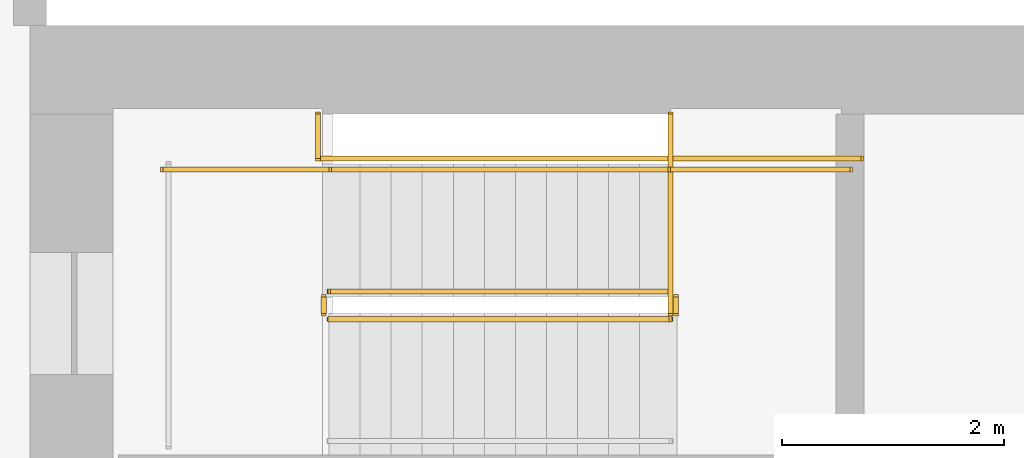
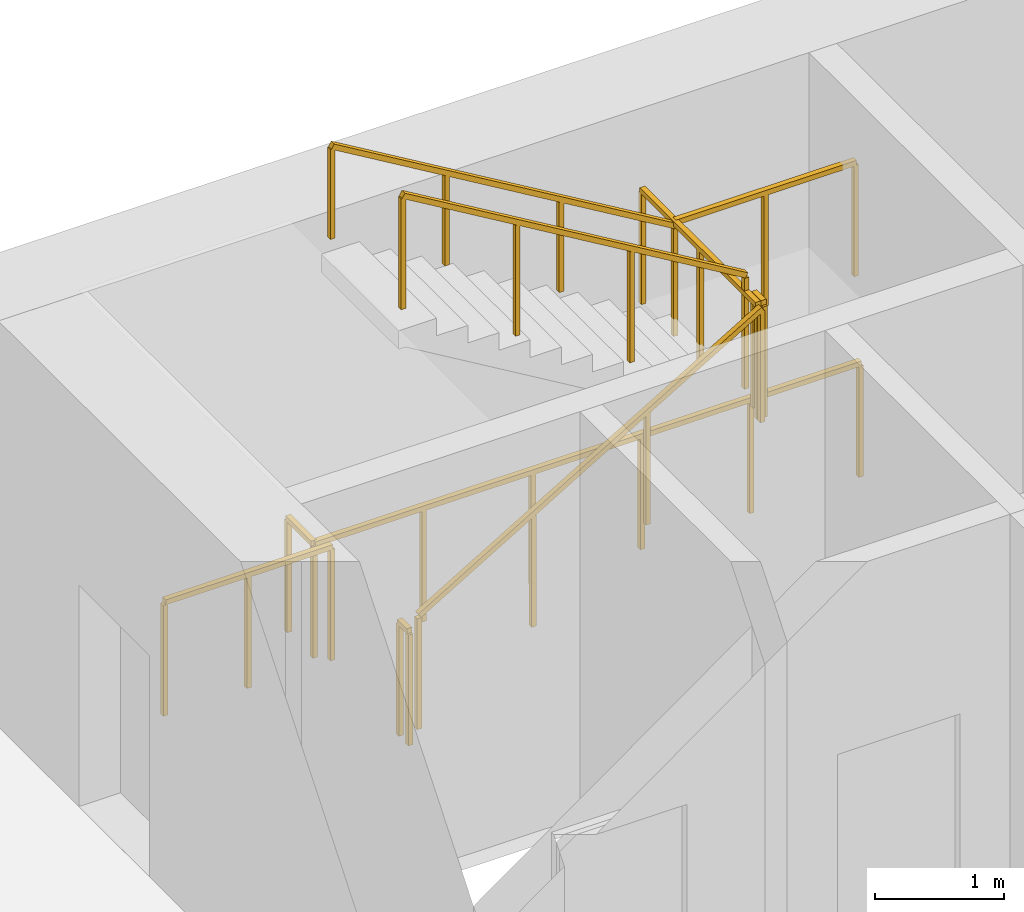
# One storey, part 12 of 12: 10 railings.
"""IFC4 building model written with IfcOpenShell, lengths in metres."""

from ifc_helpers import new_model, si_unit, direction, frame, origin, origin_2d, place, context, subcontext, project, spatial, rectangle, extrude, material, type_object, element, save


model = new_model("IFC4")

# Units and contexts
model_context = context("Model", 3, precision=1e-05, world=origin(), true_north=direction((0.0, 1.0)))
body_context = subcontext(model_context, "Body", "Model", "MODEL_VIEW")
ifc_project = project(units=[si_unit("LENGTHUNIT", "METRE"), si_unit("AREAUNIT", "SQUARE_METRE"), si_unit("VOLUMEUNIT", "CUBIC_METRE"), si_unit("PLANEANGLEUNIT", "RADIAN"), si_unit("MASSUNIT", "GRAM", prefix="KILO")], contexts=[model_context])

# Site, building, storey
site_placement = place(None, origin())
site = spatial("IfcSite", under=ifc_project, at=site_placement, CompositionType="ELEMENT")
building_placement = place(site_placement, origin())
building = spatial("IfcBuilding", under=site, at=building_placement, Name="Sennacour Bend Tower", CompositionType="ELEMENT")
storey_placement = place(building_placement, frame((0.0, 0.0, 285.0)))
storey = spatial("IfcBuildingStorey", under=building, at=storey_placement, Name="L66", CompositionType="ELEMENT", Elevation=285.0)

# Railings
ifc_material = material(Name="Stainless steel", Category="steel")
railing_type_1 = type_object("IfcRailingType", Name="RL-GUARD-1100", PredefinedType="GUARDRAIL", material=ifc_material)
railing_1_placement = place(storey_placement, frame((56.699951171875, 19.85009765625, 0.166748046875)))
element("IfcRailing", 1, at=railing_1_placement, inside=storey, type_object=railing_type_1, Name="L66 SA2 stair guard 1", PredefinedType="GUARDRAIL", context=body_context, shape_type="SweptSolid", body=[
    extrude(rectangle(XDim=0.048095703125, YDim=0.048095703125, at=origin_2d()), frame((0.0, 0.0, 1.076171875), z_axis=(0.859308565015, 0.0, 0.511457515432), x_axis=(0.0, 1.0, 0.0)), (0.0, 0.0, 1.0), 3.58447265625),
    extrude(rectangle(XDim=0.0419921875, YDim=0.0419921875, at=origin_2d()), origin(), (0.0, 0.0, 1.0), 1.052001953125),
    extrude(rectangle(XDim=0.0419921875, YDim=0.0419921875, at=origin_2d()), frame((1.026611328125, 0.0, 0.611083984375)), (0.0, 0.0, 1.0), 1.052001953125),
    extrude(rectangle(XDim=0.0419921875, YDim=0.0419921875, at=origin_2d()), frame((2.053466796875, 0.0, 1.22216796875)), (0.0, 0.0, 1.0), 1.052001953125),
    extrude(rectangle(XDim=0.0419921875, YDim=0.0419921875, at=origin_2d()), frame((3.080078125, 0.0, 1.833251953125)), (0.0, 0.0, 1.0), 1.052001953125),
])
railing_2_placement = place(storey_placement, frame((59.830078125, 19.89990234375, 2.0)))
element("IfcRailing", 2, at=railing_2_placement, inside=storey, type_object=railing_type_1, Name="L66 SA2 stair guard 2", PredefinedType="GUARDRAIL", context=body_context, shape_type="SweptSolid", body=[
    extrude(rectangle(XDim=0.048095703125, YDim=0.048095703125, at=origin_2d()), frame((0.0, 0.0, 1.076171875), z_axis=(0.0, 1.0, 0.0), x_axis=(-1.0, 0.0, 0.0)), (0.0, 0.0, 1.0), 0.150146484375),
    extrude(rectangle(XDim=0.0419921875, YDim=0.0419921875, at=origin_2d()), origin(), (0.0, 0.0, 1.0), 1.052001953125),
    extrude(rectangle(XDim=0.0419921875, YDim=0.0419921875, at=origin_2d()), frame((0.0, 0.150146484375, 0.0)), (0.0, 0.0, 1.0), 1.052001953125),
])
railing_3_placement = place(storey_placement, frame((59.780029296875, 21.199951171875, 2.0)))
element("IfcRailing", 3, at=railing_3_placement, inside=storey, type_object=railing_type_1, Name="L66 SA2 stair guard 3", PredefinedType="GUARDRAIL", context=body_context, shape_type="SweptSolid", body=[
    extrude(rectangle(XDim=0.048095703125, YDim=0.048095703125, at=origin_2d()), frame((0.0, 0.0, 1.076171875), z_axis=(1.0, 0.0, 0.0), x_axis=(0.0, 1.0, 0.0)), (0.0, 0.0, 1.0), 1.619873046875),
    extrude(rectangle(XDim=0.0419921875, YDim=0.0419921875, at=origin_2d()), origin(), (0.0, 0.0, 1.0), 1.052001953125),
    extrude(rectangle(XDim=0.0419921875, YDim=0.0419921875, at=origin_2d()), frame((0.81005859375, 0.0, 0.0)), (0.0, 0.0, 1.0), 1.052001953125),
    extrude(rectangle(XDim=0.0419921875, YDim=0.0419921875, at=origin_2d()), frame((1.619873046875, 0.0, 0.0)), (0.0, 0.0, 1.0), 1.052001953125),
])
railing_4_placement = place(storey_placement, frame((59.780029296875, 20.10009765625, 2.166748046875)))
element("IfcRailing", 4, at=railing_4_placement, inside=storey, type_object=railing_type_1, Name="L66 SA2 stair guard 4", PredefinedType="GUARDRAIL", context=body_context, shape_type="SweptSolid", body=[
    extrude(rectangle(XDim=0.048095703125, YDim=0.048095703125, at=origin_2d()), frame((0.0, 0.0, 1.076171875), z_axis=(-0.859308565015, 0.0, 0.511457515432), x_axis=(0.0, -1.0, 0.0)), (0.0, 0.0, 1.0), 3.58447265625),
    extrude(rectangle(XDim=0.0419921875, YDim=0.0419921875, at=origin_2d()), origin(), (0.0, 0.0, 1.0), 1.052001953125),
    extrude(rectangle(XDim=0.0419921875, YDim=0.0419921875, at=origin_2d()), frame((-1.026611328125, 0.0, 0.611083984375)), (0.0, 0.0, 1.0), 1.052001953125),
    extrude(rectangle(XDim=0.0419921875, YDim=0.0419921875, at=origin_2d()), frame((-2.053466796875, 0.0, 1.22216796875)), (0.0, 0.0, 1.0), 1.052001953125),
    extrude(rectangle(XDim=0.0419921875, YDim=0.0419921875, at=origin_2d()), frame((-3.080078125, 0.0, 1.833251953125)), (0.0, 0.0, 1.0), 1.052001953125),
])
railing_5_placement = place(storey_placement, frame((56.64990234375, 19.89990234375, 0.0)))
element("IfcRailing", 5, at=railing_5_placement, inside=storey, type_object=railing_type_1, Name="L66 SA2 stair guard 5", PredefinedType="GUARDRAIL", context=body_context, shape_type="SweptSolid", body=[
    extrude(rectangle(XDim=0.048095703125, YDim=0.048095703125, at=origin_2d()), frame((0.0, 0.0, 1.076171875), z_axis=(0.0, 1.0, 0.0), x_axis=(-1.0, 0.0, 0.0)), (0.0, 0.0, 1.0), 0.150146484375),
    extrude(rectangle(XDim=0.0419921875, YDim=0.0419921875, at=origin_2d()), origin(), (0.0, 0.0, 1.0), 1.052001953125),
    extrude(rectangle(XDim=0.0419921875, YDim=0.0419921875, at=origin_2d()), frame((0.0, 0.150146484375, 0.0)), (0.0, 0.0, 1.0), 1.052001953125),
])
railing_6_placement = place(storey_placement, frame((55.199951171875, 21.199951171875, 0.0)))
element("IfcRailing", 6, at=railing_6_placement, inside=storey, type_object=railing_type_1, Name="L66 SA2 stair guard 6", PredefinedType="GUARDRAIL", context=body_context, shape_type="SweptSolid", body=[
    extrude(rectangle(XDim=0.048095703125, YDim=0.048095703125, at=origin_2d()), frame((0.0, 0.0, 1.076171875), z_axis=(1.0, 0.0, 0.0), x_axis=(0.0, 1.0, 0.0)), (0.0, 0.0, 1.0), 1.5),
    extrude(rectangle(XDim=0.0419921875, YDim=0.0419921875, at=origin_2d()), origin(), (0.0, 0.0, 1.0), 1.052001953125),
    extrude(rectangle(XDim=0.0419921875, YDim=0.0419921875, at=origin_2d()), frame((0.75, 0.0, 0.0)), (0.0, 0.0, 1.0), 1.052001953125),
    extrude(rectangle(XDim=0.0419921875, YDim=0.0419921875, at=origin_2d()), frame((1.5, 0.0, 0.0)), (0.0, 0.0, 1.0), 1.052001953125),
])
railing_7_placement = place(storey_placement, frame((56.60009765625, 21.300048828125, 0.0)))
element("IfcRailing", 7, at=railing_7_placement, inside=storey, type_object=railing_type_1, Name="L66 SA2 stair guard 8", PredefinedType="GUARDRAIL", context=body_context, shape_type="SweptSolid", body=[
    extrude(rectangle(XDim=0.048095703125, YDim=0.048095703125, at=origin_2d()), frame((0.0, 0.0, 1.076171875), z_axis=(1.0, 0.0, 0.0), x_axis=(0.0, 1.0, 0.0)), (0.0, 0.0, 1.0), 4.89990234375),
    extrude(rectangle(XDim=0.0419921875, YDim=0.0419921875, at=origin_2d()), origin(), (0.0, 0.0, 1.0), 1.052001953125),
    extrude(rectangle(XDim=0.0419921875, YDim=0.0419921875, at=origin_2d()), frame((0.97998046875, 0.0, 0.0)), (0.0, 0.0, 1.0), 1.052001953125),
    extrude(rectangle(XDim=0.0419921875, YDim=0.0419921875, at=origin_2d()), frame((1.9599609375, 0.0, 0.0)), (0.0, 0.0, 1.0), 1.052001953125),
    extrude(rectangle(XDim=0.0419921875, YDim=0.0419921875, at=origin_2d()), frame((2.93994140625, 0.0, 0.0)), (0.0, 0.0, 1.0), 1.052001953125),
    extrude(rectangle(XDim=0.0419921875, YDim=0.0419921875, at=origin_2d()), frame((3.919921875, 0.0, 0.0)), (0.0, 0.0, 1.0), 1.052001953125),
    extrude(rectangle(XDim=0.0419921875, YDim=0.0419921875, at=origin_2d()), frame((4.89990234375, 0.0, 0.0)), (0.0, 0.0, 1.0), 1.052001953125),
])
railing_8_placement = place(storey_placement, frame((59.780029296875, 19.89990234375, 2.0)))
element("IfcRailing", 8, at=railing_8_placement, inside=storey, type_object=railing_type_1, Name="L66 SA2 landing edge guard 86", PredefinedType="GUARDRAIL", context=body_context, shape_type="SweptSolid", body=[
    extrude(rectangle(XDim=0.048095703125, YDim=0.048095703125, at=origin_2d()), frame((0.0, 0.0, 1.076171875), z_axis=(0.0, 1.0, 0.0), x_axis=(-1.0, 0.0, 0.0)), (0.0, 0.0, 1.0), 1.800048828125),
    extrude(rectangle(XDim=0.0419921875, YDim=0.0419921875, at=origin_2d()), origin(), (0.0, 0.0, 1.0), 1.052001953125),
    extrude(rectangle(XDim=0.0419921875, YDim=0.0419921875, at=origin_2d()), frame((0.0, 0.89990234375, 0.0)), (0.0, 0.0, 1.0), 1.052001953125),
    extrude(rectangle(XDim=0.0419921875, YDim=0.0419921875, at=origin_2d()), frame((0.0, 1.800048828125, 0.0)), (0.0, 0.0, 1.0), 1.052001953125),
])
railing_9_placement = place(storey_placement, frame((56.60009765625, 21.300048828125, 0.0)))
element("IfcRailing", 9, at=railing_9_placement, inside=storey, type_object=railing_type_1, Name="L66 SA2 landing edge guard 120", PredefinedType="GUARDRAIL", context=body_context, shape_type="SweptSolid", body=[
    extrude(rectangle(XDim=0.048095703125, YDim=0.048095703125, at=origin_2d()), frame((0.0, 0.0, 1.076171875), z_axis=(0.0, 1.0, 0.0), x_axis=(-1.0, 0.0, 0.0)), (0.0, 0.0, 1.0), 0.39990234375),
    extrude(rectangle(XDim=0.0419921875, YDim=0.0419921875, at=origin_2d()), origin(), (0.0, 0.0, 1.0), 1.052001953125),
    extrude(rectangle(XDim=0.0419921875, YDim=0.0419921875, at=origin_2d()), frame((0.0, 0.39990234375, 0.0)), (0.0, 0.0, 1.0), 1.052001953125),
])
railing_type_2 = type_object("IfcRailingType", Name="RL-HANDRAIL-900", PredefinedType="HANDRAIL", material=ifc_material)
railing_10_placement = place(storey_placement, frame((59.780029296875, 21.199951171875, 2.166748046875)))
element("IfcRailing", 10, at=railing_10_placement, inside=storey, type_object=railing_type_2, Name="L66 SA2 stair handrail 2", PredefinedType="HANDRAIL", context=body_context, shape_type="SweptSolid", body=[
    extrude(rectangle(XDim=0.048095703125, YDim=0.048095703125, at=origin_2d()), frame((0.0, 0.0, 0.8759765625), z_axis=(-0.859308565015, 0.0, 0.511457515432), x_axis=(0.0, -1.0, 0.0)), (0.0, 0.0, 1.0), 3.58447265625),
    extrude(rectangle(XDim=0.0419921875, YDim=0.0419921875, at=origin_2d()), origin(), (0.0, 0.0, 1.0), 0.851806640625),
    extrude(rectangle(XDim=0.0419921875, YDim=0.0419921875, at=origin_2d()), frame((-1.026611328125, 0.0, 0.611083984375)), (0.0, 0.0, 1.0), 0.851806640625),
    extrude(rectangle(XDim=0.0419921875, YDim=0.0419921875, at=origin_2d()), frame((-2.053466796875, 0.0, 1.22216796875)), (0.0, 0.0, 1.0), 0.851806640625),
    extrude(rectangle(XDim=0.0419921875, YDim=0.0419921875, at=origin_2d()), frame((-3.080078125, 0.0, 1.833251953125)), (0.0, 0.0, 1.0), 0.851806640625),
])

save(model, "model.ifc")
